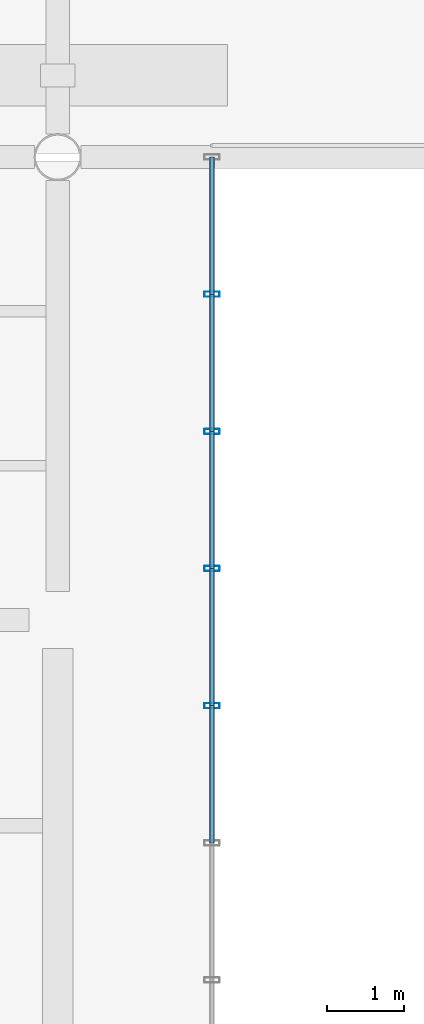
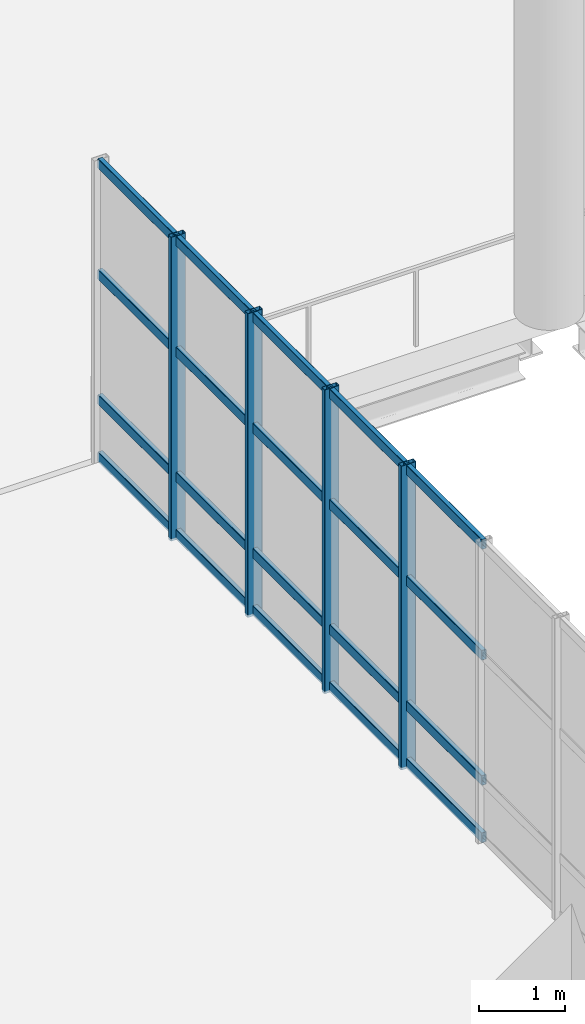
# One storey, part 54 of 176: 24 members, 1 element without a shape of its own.
"""IFC4 building model written with IfcOpenShell, lengths in metres."""

from ifc_helpers import new_model, si_unit, direction, frame, origin, origin_2d, place, context, subcontext, project, spatial, hollow_rectangle, extrude, material, layer, layer_set, material_profile, profile_set, type_object, element, aggregate, save


model = new_model("IFC4")

# Units and contexts
model_context = context("Model", 3, precision=1e-05, world=origin(), true_north=direction((0.0, 1.0)))
body_context = subcontext(model_context, "Body", "Model", "MODEL_VIEW")
ifc_project = project(units=[si_unit("LENGTHUNIT", "METRE"), si_unit("AREAUNIT", "SQUARE_METRE"), si_unit("VOLUMEUNIT", "CUBIC_METRE"), si_unit("PLANEANGLEUNIT", "RADIAN"), si_unit("MASSUNIT", "GRAM", prefix="KILO")], contexts=[model_context])

# Site, building, storey
site_placement = place(None, origin())
site = spatial("IfcSite", under=ifc_project, at=site_placement, CompositionType="ELEMENT")
building_placement = place(site_placement, origin())
building = spatial("IfcBuilding", under=site, at=building_placement, Name="Khorjan Park Terminus", CompositionType="ELEMENT")
storey_placement = place(building_placement, frame((0.0, 0.0, 6.0)))
storey = spatial("IfcBuildingStorey", under=building, at=storey_placement, Name="L01", CompositionType="ELEMENT", Elevation=6.0)

# Curtain wall, members
ifc_material = material(Name="Anodized Bronze Aluminium", Category="aluminium")
ifc_layer = layer(ifc_material, 0.22)
ifc_layer_set = layer_set([ifc_layer], Name="Anodized Bronze Aluminium")
curtain_wall_type = type_object("IfcCurtainWallType", Name="CW-BRG-D", PredefinedType="NOTDEFINED", material=ifc_layer_set)
curtain_wall_placement = place(storey_placement, origin())
curtain_wall = element("IfcCurtainWall", 1, at=curtain_wall_placement, inside=storey, type_object=curtain_wall_type, Name="Unitized curtain wall CW-D (CW-NKW-E-L01)", PredefinedType="NOTDEFINED")
ifc_material_profile_1 = material_profile(ifc_material, hollow_rectangle(XDim=0.07, YDim=0.2, WallThickness=0.005, InnerFilletRadius=0.005, OuterFilletRadius=0.01, at=origin_2d()), Name="ALM 70x200x5")
ifc_profile_set_1 = profile_set([ifc_material_profile_1], Name="Anodized Bronze Aluminium")
member_type_1 = type_object("IfcMemberType", Name="ML-ALM-200", PredefinedType="MULLION", material=ifc_profile_set_1)
member_1_placement = place(storey_placement, frame((74.0, 94.8889, -0.035), z_axis=(0.0, 0.0, 1.0), x_axis=(0.0, 1.0, 0.0)))
member_1 = element("IfcMember", 2, at=member_1_placement, type_object=member_type_1, Name="Curtain-wall mullion ML-20 (CW-NKW-E-L01-5)", PredefinedType="MULLION", context=body_context, shape_type="SweptSolid", body=[
    extrude(hollow_rectangle(XDim=0.07, YDim=0.2, WallThickness=0.005, InnerFilletRadius=0.005, OuterFilletRadius=0.01, at=origin_2d()), origin(), (0.0, 0.0, 1.0), 4.295),
])
member_2_placement = place(storey_placement, frame((74.0, 96.6667, -0.035), z_axis=(0.0, 0.0, 1.0), x_axis=(0.0, 1.0, 0.0)))
member_2 = element("IfcMember", 3, at=member_2_placement, type_object=member_type_1, Name="Curtain-wall mullion ML-20 (CW-NKW-E-L01-6)", PredefinedType="MULLION", context=body_context, shape_type="SweptSolid", body=[
    extrude(hollow_rectangle(XDim=0.07, YDim=0.2, WallThickness=0.005, InnerFilletRadius=0.005, OuterFilletRadius=0.01, at=origin_2d()), origin(), (0.0, 0.0, 1.0), 4.295),
])
member_3_placement = place(storey_placement, frame((74.0, 98.4444, -0.035), z_axis=(0.0, 0.0, 1.0), x_axis=(0.0, 1.0, 0.0)))
member_3 = element("IfcMember", 4, at=member_3_placement, type_object=member_type_1, Name="Curtain-wall mullion ML-20 (CW-NKW-E-L01-7)", PredefinedType="MULLION", context=body_context, shape_type="SweptSolid", body=[
    extrude(hollow_rectangle(XDim=0.07, YDim=0.2, WallThickness=0.005, InnerFilletRadius=0.005, OuterFilletRadius=0.01, at=origin_2d()), origin(), (0.0, 0.0, 1.0), 4.295),
])
member_4_placement = place(storey_placement, frame((74.0, 100.2222, -0.035), z_axis=(0.0, 0.0, 1.0), x_axis=(0.0, 1.0, 0.0)))
member_4 = element("IfcMember", 5, at=member_4_placement, type_object=member_type_1, Name="Curtain-wall mullion ML-20 (CW-NKW-E-L01-8)", PredefinedType="MULLION", context=body_context, shape_type="SweptSolid", body=[
    extrude(hollow_rectangle(XDim=0.07, YDim=0.2, WallThickness=0.005, InnerFilletRadius=0.005, OuterFilletRadius=0.01, at=origin_2d()), origin(), (0.0, 0.0, 1.0), 4.295),
])
ifc_material_profile_2 = material_profile(ifc_material, hollow_rectangle(XDim=0.065, YDim=0.14, WallThickness=0.004, InnerFilletRadius=0.004, OuterFilletRadius=0.008, at=origin_2d()), Name="ALT 65x140x4")
ifc_profile_set_2 = profile_set([ifc_material_profile_2], Name="Anodized Bronze Aluminium")
member_type_2 = type_object("IfcMemberType", Name="TR-ALT-140", PredefinedType="USERDEFINED", material=ifc_profile_set_2)
member_5_placement = place(storey_placement, frame((74.0, 93.1111, 0.04), z_axis=(0.0, 1.0, 0.0), x_axis=(-1.0, 0.0, 0.0)))
member_5 = element("IfcMember", 6, at=member_5_placement, type_object=member_type_2, Name="Curtain-wall transom TR-14 (CW-NKW-E-L01-4-1)", ObjectType="TRANSOM", PredefinedType="USERDEFINED", context=body_context, shape_type="SweptSolid", body=[
    extrude(hollow_rectangle(XDim=0.065, YDim=0.14, WallThickness=0.004, InnerFilletRadius=0.004, OuterFilletRadius=0.008, at=origin_2d()), origin(), (0.0, 0.0, 1.0), 1.7778),
])
member_6_placement = place(storey_placement, frame((74.0, 93.1111, 0.85), z_axis=(0.0, 1.0, 0.0), x_axis=(-1.0, 0.0, 0.0)))
member_6 = element("IfcMember", 7, at=member_6_placement, type_object=member_type_2, Name="Curtain-wall transom TR-14 (CW-NKW-E-L01-4-2)", ObjectType="TRANSOM", PredefinedType="USERDEFINED", context=body_context, shape_type="SweptSolid", body=[
    extrude(hollow_rectangle(XDim=0.065, YDim=0.14, WallThickness=0.004, InnerFilletRadius=0.004, OuterFilletRadius=0.008, at=origin_2d()), origin(), (0.0, 0.0, 1.0), 1.7778),
])
member_7_placement = place(storey_placement, frame((74.0, 93.1111, 2.6195), z_axis=(0.0, 1.0, 0.0), x_axis=(-1.0, 0.0, 0.0)))
member_7 = element("IfcMember", 8, at=member_7_placement, type_object=member_type_2, Name="Curtain-wall transom TR-14 (CW-NKW-E-L01-4-3)", ObjectType="TRANSOM", PredefinedType="USERDEFINED", context=body_context, shape_type="SweptSolid", body=[
    extrude(hollow_rectangle(XDim=0.065, YDim=0.14, WallThickness=0.004, InnerFilletRadius=0.004, OuterFilletRadius=0.008, at=origin_2d()), origin(), (0.0, 0.0, 1.0), 1.7778),
])
member_8_placement = place(storey_placement, frame((74.0, 93.1111, 4.185), z_axis=(0.0, 1.0, 0.0), x_axis=(-1.0, 0.0, 0.0)))
member_8 = element("IfcMember", 9, at=member_8_placement, type_object=member_type_2, Name="Curtain-wall transom TR-14 (CW-NKW-E-L01-4-4)", ObjectType="TRANSOM", PredefinedType="USERDEFINED", context=body_context, shape_type="SweptSolid", body=[
    extrude(hollow_rectangle(XDim=0.065, YDim=0.14, WallThickness=0.004, InnerFilletRadius=0.004, OuterFilletRadius=0.008, at=origin_2d()), origin(), (0.0, 0.0, 1.0), 1.7778),
])
member_9_placement = place(storey_placement, frame((74.0, 94.8889, 0.04), z_axis=(0.0, 1.0, 0.0), x_axis=(-1.0, 0.0, 0.0)))
member_9 = element("IfcMember", 10, at=member_9_placement, type_object=member_type_2, Name="Curtain-wall transom TR-14 (CW-NKW-E-L01-5-1)", ObjectType="TRANSOM", PredefinedType="USERDEFINED", context=body_context, shape_type="SweptSolid", body=[
    extrude(hollow_rectangle(XDim=0.065, YDim=0.14, WallThickness=0.004, InnerFilletRadius=0.004, OuterFilletRadius=0.008, at=origin_2d()), origin(), (0.0, 0.0, 1.0), 1.7778),
])
member_10_placement = place(storey_placement, frame((74.0, 94.8889, 0.85), z_axis=(0.0, 1.0, 0.0), x_axis=(-1.0, 0.0, 0.0)))
member_10 = element("IfcMember", 11, at=member_10_placement, type_object=member_type_2, Name="Curtain-wall transom TR-14 (CW-NKW-E-L01-5-2)", ObjectType="TRANSOM", PredefinedType="USERDEFINED", context=body_context, shape_type="SweptSolid", body=[
    extrude(hollow_rectangle(XDim=0.065, YDim=0.14, WallThickness=0.004, InnerFilletRadius=0.004, OuterFilletRadius=0.008, at=origin_2d()), origin(), (0.0, 0.0, 1.0), 1.7778),
])
member_11_placement = place(storey_placement, frame((74.0, 94.8889, 2.6195), z_axis=(0.0, 1.0, 0.0), x_axis=(-1.0, 0.0, 0.0)))
member_11 = element("IfcMember", 12, at=member_11_placement, type_object=member_type_2, Name="Curtain-wall transom TR-14 (CW-NKW-E-L01-5-3)", ObjectType="TRANSOM", PredefinedType="USERDEFINED", context=body_context, shape_type="SweptSolid", body=[
    extrude(hollow_rectangle(XDim=0.065, YDim=0.14, WallThickness=0.004, InnerFilletRadius=0.004, OuterFilletRadius=0.008, at=origin_2d()), origin(), (0.0, 0.0, 1.0), 1.7778),
])
member_12_placement = place(storey_placement, frame((74.0, 94.8889, 4.185), z_axis=(0.0, 1.0, 0.0), x_axis=(-1.0, 0.0, 0.0)))
member_12 = element("IfcMember", 13, at=member_12_placement, type_object=member_type_2, Name="Curtain-wall transom TR-14 (CW-NKW-E-L01-5-4)", ObjectType="TRANSOM", PredefinedType="USERDEFINED", context=body_context, shape_type="SweptSolid", body=[
    extrude(hollow_rectangle(XDim=0.065, YDim=0.14, WallThickness=0.004, InnerFilletRadius=0.004, OuterFilletRadius=0.008, at=origin_2d()), origin(), (0.0, 0.0, 1.0), 1.7778),
])
member_13_placement = place(storey_placement, frame((74.0, 96.6667, 0.04), z_axis=(0.0, 1.0, 0.0), x_axis=(-1.0, 0.0, 0.0)))
member_13 = element("IfcMember", 14, at=member_13_placement, type_object=member_type_2, Name="Curtain-wall transom TR-14 (CW-NKW-E-L01-6-1)", ObjectType="TRANSOM", PredefinedType="USERDEFINED", context=body_context, shape_type="SweptSolid", body=[
    extrude(hollow_rectangle(XDim=0.065, YDim=0.14, WallThickness=0.004, InnerFilletRadius=0.004, OuterFilletRadius=0.008, at=origin_2d()), origin(), (0.0, 0.0, 1.0), 1.7777),
])
member_14_placement = place(storey_placement, frame((74.0, 96.6667, 0.85), z_axis=(0.0, 1.0, 0.0), x_axis=(-1.0, 0.0, 0.0)))
member_14 = element("IfcMember", 15, at=member_14_placement, type_object=member_type_2, Name="Curtain-wall transom TR-14 (CW-NKW-E-L01-6-2)", ObjectType="TRANSOM", PredefinedType="USERDEFINED", context=body_context, shape_type="SweptSolid", body=[
    extrude(hollow_rectangle(XDim=0.065, YDim=0.14, WallThickness=0.004, InnerFilletRadius=0.004, OuterFilletRadius=0.008, at=origin_2d()), origin(), (0.0, 0.0, 1.0), 1.7777),
])
member_15_placement = place(storey_placement, frame((74.0, 96.6667, 2.6195), z_axis=(0.0, 1.0, 0.0), x_axis=(-1.0, 0.0, 0.0)))
member_15 = element("IfcMember", 16, at=member_15_placement, type_object=member_type_2, Name="Curtain-wall transom TR-14 (CW-NKW-E-L01-6-3)", ObjectType="TRANSOM", PredefinedType="USERDEFINED", context=body_context, shape_type="SweptSolid", body=[
    extrude(hollow_rectangle(XDim=0.065, YDim=0.14, WallThickness=0.004, InnerFilletRadius=0.004, OuterFilletRadius=0.008, at=origin_2d()), origin(), (0.0, 0.0, 1.0), 1.7777),
])
member_16_placement = place(storey_placement, frame((74.0, 96.6667, 4.185), z_axis=(0.0, 1.0, 0.0), x_axis=(-1.0, 0.0, 0.0)))
member_16 = element("IfcMember", 17, at=member_16_placement, type_object=member_type_2, Name="Curtain-wall transom TR-14 (CW-NKW-E-L01-6-4)", ObjectType="TRANSOM", PredefinedType="USERDEFINED", context=body_context, shape_type="SweptSolid", body=[
    extrude(hollow_rectangle(XDim=0.065, YDim=0.14, WallThickness=0.004, InnerFilletRadius=0.004, OuterFilletRadius=0.008, at=origin_2d()), origin(), (0.0, 0.0, 1.0), 1.7777),
])
member_17_placement = place(storey_placement, frame((74.0, 98.4444, 0.04), z_axis=(0.0, 1.0, 0.0), x_axis=(-1.0, 0.0, 0.0)))
member_17 = element("IfcMember", 18, at=member_17_placement, type_object=member_type_2, Name="Curtain-wall transom TR-14 (CW-NKW-E-L01-7-1)", ObjectType="TRANSOM", PredefinedType="USERDEFINED", context=body_context, shape_type="SweptSolid", body=[
    extrude(hollow_rectangle(XDim=0.065, YDim=0.14, WallThickness=0.004, InnerFilletRadius=0.004, OuterFilletRadius=0.008, at=origin_2d()), origin(), (0.0, 0.0, 1.0), 1.7778),
])
member_18_placement = place(storey_placement, frame((74.0, 98.4444, 0.85), z_axis=(0.0, 1.0, 0.0), x_axis=(-1.0, 0.0, 0.0)))
member_18 = element("IfcMember", 19, at=member_18_placement, type_object=member_type_2, Name="Curtain-wall transom TR-14 (CW-NKW-E-L01-7-2)", ObjectType="TRANSOM", PredefinedType="USERDEFINED", context=body_context, shape_type="SweptSolid", body=[
    extrude(hollow_rectangle(XDim=0.065, YDim=0.14, WallThickness=0.004, InnerFilletRadius=0.004, OuterFilletRadius=0.008, at=origin_2d()), origin(), (0.0, 0.0, 1.0), 1.7778),
])
member_19_placement = place(storey_placement, frame((74.0, 98.4444, 2.6195), z_axis=(0.0, 1.0, 0.0), x_axis=(-1.0, 0.0, 0.0)))
member_19 = element("IfcMember", 20, at=member_19_placement, type_object=member_type_2, Name="Curtain-wall transom TR-14 (CW-NKW-E-L01-7-3)", ObjectType="TRANSOM", PredefinedType="USERDEFINED", context=body_context, shape_type="SweptSolid", body=[
    extrude(hollow_rectangle(XDim=0.065, YDim=0.14, WallThickness=0.004, InnerFilletRadius=0.004, OuterFilletRadius=0.008, at=origin_2d()), origin(), (0.0, 0.0, 1.0), 1.7778),
])
member_20_placement = place(storey_placement, frame((74.0, 98.4444, 4.185), z_axis=(0.0, 1.0, 0.0), x_axis=(-1.0, 0.0, 0.0)))
member_20 = element("IfcMember", 21, at=member_20_placement, type_object=member_type_2, Name="Curtain-wall transom TR-14 (CW-NKW-E-L01-7-4)", ObjectType="TRANSOM", PredefinedType="USERDEFINED", context=body_context, shape_type="SweptSolid", body=[
    extrude(hollow_rectangle(XDim=0.065, YDim=0.14, WallThickness=0.004, InnerFilletRadius=0.004, OuterFilletRadius=0.008, at=origin_2d()), origin(), (0.0, 0.0, 1.0), 1.7778),
])
member_21_placement = place(storey_placement, frame((74.0, 100.2222, 0.04), z_axis=(0.0, 1.0, 0.0), x_axis=(-1.0, 0.0, 0.0)))
member_21 = element("IfcMember", 22, at=member_21_placement, type_object=member_type_2, Name="Curtain-wall transom TR-14 (CW-NKW-E-L01-8-1)", ObjectType="TRANSOM", PredefinedType="USERDEFINED", context=body_context, shape_type="SweptSolid", body=[
    extrude(hollow_rectangle(XDim=0.065, YDim=0.14, WallThickness=0.004, InnerFilletRadius=0.004, OuterFilletRadius=0.008, at=origin_2d()), origin(), (0.0, 0.0, 1.0), 1.7778),
])
member_22_placement = place(storey_placement, frame((74.0, 100.2222, 0.85), z_axis=(0.0, 1.0, 0.0), x_axis=(-1.0, 0.0, 0.0)))
member_22 = element("IfcMember", 23, at=member_22_placement, type_object=member_type_2, Name="Curtain-wall transom TR-14 (CW-NKW-E-L01-8-2)", ObjectType="TRANSOM", PredefinedType="USERDEFINED", context=body_context, shape_type="SweptSolid", body=[
    extrude(hollow_rectangle(XDim=0.065, YDim=0.14, WallThickness=0.004, InnerFilletRadius=0.004, OuterFilletRadius=0.008, at=origin_2d()), origin(), (0.0, 0.0, 1.0), 1.7778),
])
member_23_placement = place(storey_placement, frame((74.0, 100.2222, 2.6195), z_axis=(0.0, 1.0, 0.0), x_axis=(-1.0, 0.0, 0.0)))
member_23 = element("IfcMember", 24, at=member_23_placement, type_object=member_type_2, Name="Curtain-wall transom TR-14 (CW-NKW-E-L01-8-3)", ObjectType="TRANSOM", PredefinedType="USERDEFINED", context=body_context, shape_type="SweptSolid", body=[
    extrude(hollow_rectangle(XDim=0.065, YDim=0.14, WallThickness=0.004, InnerFilletRadius=0.004, OuterFilletRadius=0.008, at=origin_2d()), origin(), (0.0, 0.0, 1.0), 1.7778),
])
member_24_placement = place(storey_placement, frame((74.0, 100.2222, 4.185), z_axis=(0.0, 1.0, 0.0), x_axis=(-1.0, 0.0, 0.0)))
member_24 = element("IfcMember", 25, at=member_24_placement, type_object=member_type_2, Name="Curtain-wall transom TR-14 (CW-NKW-E-L01-8-4)", ObjectType="TRANSOM", PredefinedType="USERDEFINED", context=body_context, shape_type="SweptSolid", body=[
    extrude(hollow_rectangle(XDim=0.065, YDim=0.14, WallThickness=0.004, InnerFilletRadius=0.004, OuterFilletRadius=0.008, at=origin_2d()), origin(), (0.0, 0.0, 1.0), 1.7778),
])
aggregate(curtain_wall, [member_1, member_2, member_3, member_4, member_5, member_6, member_7, member_8, member_9, member_10, member_11, member_12, member_13, member_14, member_15, member_16, member_17, member_18, member_19, member_20, member_21, member_22, member_23, member_24])

save(model, "model.ifc")
